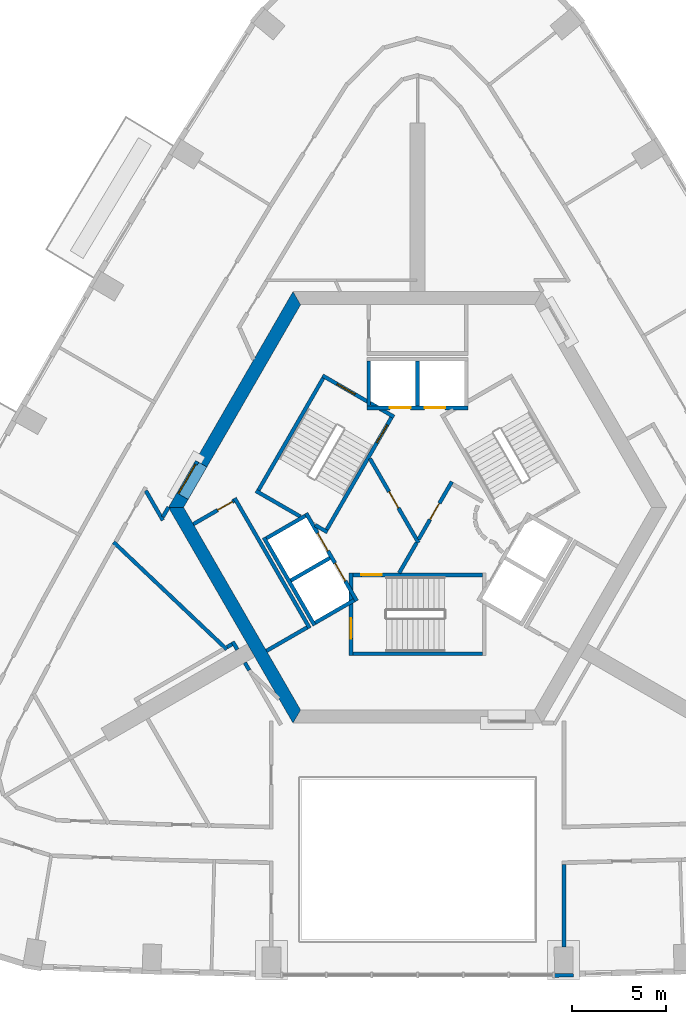
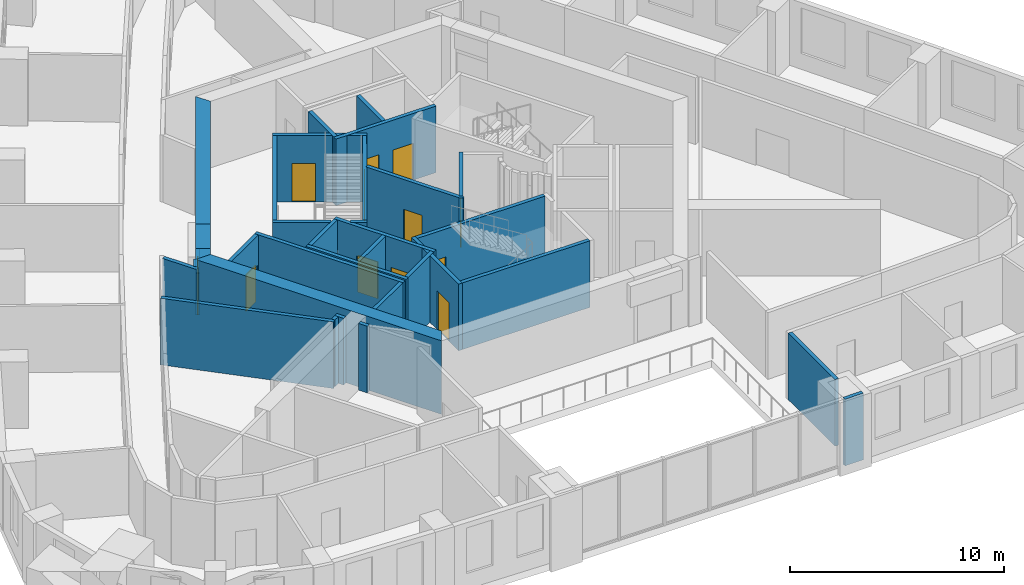
# One storey, part 5 of 13: 35 walls, 12 doors, 12 openings.
"""IFC4 building model written with IfcOpenShell, lengths in metres."""

from ifc_helpers import new_model, si_unit, direction, frame, frame_2d, origin, place, context, subcontext, project, spatial, polyline, rectangle, outline, extrude, material, layer, layer_set, type_object, element, fill, save


model = new_model("IFC4")

# Units and contexts
model_context = context("Model", 3, precision=1e-05, world=origin(), true_north=direction((0.0, 1.0)))
body_context = subcontext(model_context, "Body", "Model", "MODEL_VIEW")
ifc_project = project(units=[si_unit("LENGTHUNIT", "METRE"), si_unit("AREAUNIT", "SQUARE_METRE"), si_unit("VOLUMEUNIT", "CUBIC_METRE"), si_unit("PLANEANGLEUNIT", "RADIAN"), si_unit("MASSUNIT", "GRAM", prefix="KILO")], contexts=[model_context])

# Site, building, storey
site_placement = place(None, origin())
site = spatial("IfcSite", under=ifc_project, at=site_placement, CompositionType="ELEMENT")
building_placement = place(site_placement, origin())
building = spatial("IfcBuilding", under=site, at=building_placement, Name="Entoto Arch Interchange Tower", CompositionType="ELEMENT")
storey_placement = place(building_placement, frame((0.0, 0.0, 210.800048828125)))
storey = spatial("IfcBuildingStorey", under=building, at=storey_placement, Name="L47", CompositionType="ELEMENT", Elevation=210.800048828125)

# Wall, opening, door
ifc_material_1 = material(Name="Reinforced concrete C40/50", Category="concrete")
ifc_layer_1 = layer(ifc_material_1, 0.199951171875)
ifc_layer_set_1 = layer_set([ifc_layer_1], Name="Reinforced concrete C40/50")
wall_type_1 = type_object("IfcWallType", Name="CORE GAP INFILL WALL", PredefinedType="PARTITIONING", material=ifc_layer_set_1)
wall_1_placement = place(storey_placement, frame((-11.7470703125, 4.951904296875, 0.0), z_axis=(0.0, 0.0, 1.0), x_axis=(-0.50002537861, -0.866010750942, 0.0)))
wall_1 = element("IfcWall", 1, at=wall_1_placement, inside=storey, type_object=wall_type_1, Name="wall:L47:gap3", PredefinedType="PARTITIONING", context=body_context, shape_type="SweptSolid", body=[
    extrude(rectangle(XDim=2.0, YDim=0.199951171875, at=frame_2d((1.0, 0.0))), origin(), (0.0, 0.0, 1.0), 2.39990234375),
])
opening_1_placement = place(wall_1_placement, frame((0.18994140625, 0.0, 0.0)))
opening_1 = element("IfcOpeningElement", 2, at=opening_1_placement, cuts=wall_1, Name="Opening L47-D93", PredefinedType="OPENING", context=body_context, shape_type="SweptSolid", body=[
    extrude(rectangle(XDim=1.800048828125, YDim=2.10009765625, at=frame_2d((0.89990234375, 1.050048828125))), frame((0.0, 0.10986328125, 0.0), z_axis=(0.0, -1.0, 0.0), x_axis=(1.0, 0.0, 0.0)), (0.0, 0.0, 1.0), 0.219970703125),
])
ifc_material_2 = material(Name="Fire-rated Steel S235 door and frame", Category="steel")
door_type_1 = type_object("IfcDoorType", Name="DOOR FD-18 1800x2100", OperationType="DOUBLE_DOOR_SINGLE_SWING", PredefinedType="DOOR", material=ifc_material_2)
door_1_placement = place(opening_1_placement, origin())
door_1 = element("IfcDoor", 3, at=door_1_placement, inside=storey, type_object=door_type_1, Name="door:L47:gap3", OperationType="DOUBLE_DOOR_SINGLE_SWING", OverallHeight=2.10009765625, OverallWidth=1.800048828125, PredefinedType="DOOR", context=body_context, shape_type="SweptSolid", body=[
    extrude(rectangle(XDim=1.800048828125, YDim=2.10009765625, at=frame_2d((0.89990234375, 1.050048828125))), frame((0.0, 0.02490234375, 0.0), z_axis=(0.0, -1.0, 0.0), x_axis=(1.0, 0.0, 0.0)), (0.0, 0.0, 1.0), 0.050048828125),
])
fill(opening_1, door_1)

# Walls
ifc_material_3 = material(Name="Concrete C50/60", Category="concrete")
ifc_layer_2 = layer(ifc_material_3, 0.699951171875)
ifc_layer_set_2 = layer_set([ifc_layer_2], Name="Concrete C50/60")
wall_type_2 = type_object("IfcWallType", Name="Core wall 700 C50/60", PredefinedType="SHEAR", material=ifc_layer_set_2)
wall_2_placement = place(storey_placement, frame((0.0, 0.0, -0.400146484375)))
element("IfcWall", 4, at=wall_2_placement, inside=storey, type_object=wall_type_2, Name="Core wall NW L47", PredefinedType="SHEAR", context=body_context, shape_type="SweptSolid", body=[
    extrude(outline(polyline([(-11.833984375, 5.001953125), (-11.22802734375, 4.652099609375), (-6.235107421875, 13.300048828125), (-6.639892578125, 14.0), (-11.833984375, 5.001953125)])), origin(), (0.0, 0.0, 1.0), 4.2001953125),
])
wall_3_placement = place(storey_placement, frame((0.0, 0.0, -0.400146484375)))
element("IfcWall", 5, at=wall_3_placement, inside=storey, type_object=wall_type_2, Name="Core wall NW L47", PredefinedType="SHEAR", context=body_context, shape_type="SweptSolid", body=[
    extrude(outline(polyline([(-12.22802734375, 2.919921875), (-12.833984375, 3.27001953125), (-13.279052734375, 2.5), (-12.470947265625, 2.5), (-12.22802734375, 2.919921875)])), origin(), (0.0, 0.0, 1.0), 4.2001953125),
])
wall_4_placement = place(storey_placement, frame((0.0, 0.0, 3.599853515625)))
element("IfcWall", 6, at=wall_4_placement, inside=storey, type_object=wall_type_2, Name="Core wall lintel NW L47", PredefinedType="SHEAR", context=body_context, shape_type="SweptSolid", body=[
    extrude(outline(polyline([(-12.833984375, 3.27001953125), (-12.22802734375, 2.919921875), (-11.22802734375, 4.652099609375), (-11.833984375, 5.001953125), (-12.833984375, 3.27001953125)])), origin(), (0.0, 0.0, 1.0), 0.2001953125),
])
wall_5_placement = place(storey_placement, frame((0.0, 0.0, -0.400146484375)))
element("IfcWall", 7, at=wall_5_placement, inside=storey, type_object=wall_type_2, Name="Core wall SW L47", PredefinedType="SHEAR", context=body_context, shape_type="SweptSolid", body=[
    extrude(outline(polyline([(-13.279052734375, 2.5), (-6.639892578125, -9.0), (-6.235107421875, -8.300048828125), (-12.470947265625, 2.5), (-13.279052734375, 2.5)])), origin(), (0.0, 0.0, 1.0), 4.2001953125),
])

# Wall, openings, doors
ifc_material_4 = material(Name="Concrete C40/50", Category="concrete")
ifc_layer_3 = layer(ifc_material_4, 0.199951171875)
ifc_layer_set_3 = layer_set([ifc_layer_3], Name="Concrete C40/50")
wall_type_3 = type_object("IfcWallType", Name="LIFT SHAFT WALL 200", PredefinedType="STANDARD", material=ifc_layer_set_3)
wall_6_placement = place(storey_placement, frame((2.699951171875, 7.800048828125, 0.0), z_axis=(0.0, 0.0, 1.0), x_axis=(-1.0, 0.0, 0.0)))
wall_6 = element("IfcWall", 8, at=wall_6_placement, inside=storey, type_object=wall_type_3, Name="Shaft wall N1 front", PredefinedType="STANDARD", context=body_context, shape_type="SweptSolid", body=[
    extrude(rectangle(XDim=5.39990234375, YDim=0.199951171875, at=frame_2d((2.699951171875, 0.0))), origin(), (0.0, 0.0, 1.0), 3.800048828125),
])
opening_2_placement = place(wall_6_placement, frame((1.22509765625, 0.0, 0.0)))
opening_2 = element("IfcOpeningElement", 9, at=opening_2_placement, cuts=wall_6, Name="Opening LD-HR1-L47", PredefinedType="OPENING", context=body_context, shape_type="SweptSolid", body=[
    extrude(rectangle(XDim=1.10009765625, YDim=2.10009765625, at=frame_2d((0.550048828125, 1.050048828125))), frame((0.0, 0.10986328125, 0.0), z_axis=(0.0, -1.0, 0.0), x_axis=(1.0, 0.0, 0.0)), (0.0, 0.0, 1.0), 0.219970703125),
])
opening_3_placement = place(wall_6_placement, frame((3.074951171875, 0.0, 0.0)))
opening_3 = element("IfcOpeningElement", 10, at=opening_3_placement, cuts=wall_6, Name="Opening LD-HR2-L47", PredefinedType="OPENING", context=body_context, shape_type="SweptSolid", body=[
    extrude(rectangle(XDim=1.10009765625, YDim=2.10009765625, at=frame_2d((0.550048828125, 1.050048828125))), frame((0.0, 0.10986328125, 0.0), z_axis=(0.0, -1.0, 0.0), x_axis=(1.0, 0.0, 0.0)), (0.0, 0.0, 1.0), 0.219970703125),
])
ifc_material_5 = material(Name="Stainless steel 1.4301 panels", Category="steel")
door_type_2 = type_object("IfcDoorType", Name="LIFT LANDING DOOR LD1 1100x2100", OperationType="SLIDING_TO_LEFT", PredefinedType="DOOR", material=ifc_material_5)
door_2_placement = place(opening_2_placement, origin())
door_2 = element("IfcDoor", 11, at=door_2_placement, inside=storey, type_object=door_type_2, Name="Lift landing door HR1 L47", OperationType="SLIDING_TO_LEFT", OverallHeight=2.10009765625, OverallWidth=1.10009765625, PredefinedType="DOOR", context=body_context, shape_type="SweptSolid", body=[
    extrude(rectangle(XDim=1.10009765625, YDim=2.10009765625, at=frame_2d((0.550048828125, 1.050048828125))), frame((0.0, 0.02490234375, 0.0), z_axis=(0.0, -1.0, 0.0), x_axis=(1.0, 0.0, 0.0)), (0.0, 0.0, 1.0), 0.050048828125),
])
fill(opening_2, door_2)
door_3_placement = place(opening_3_placement, origin())
door_3 = element("IfcDoor", 12, at=door_3_placement, inside=storey, type_object=door_type_2, Name="Lift landing door HR2 L47", OperationType="SLIDING_TO_LEFT", OverallHeight=2.10009765625, OverallWidth=1.10009765625, PredefinedType="DOOR", context=body_context, shape_type="SweptSolid", body=[
    extrude(rectangle(XDim=1.10009765625, YDim=2.10009765625, at=frame_2d((0.550048828125, 1.050048828125))), frame((0.0, 0.02490234375, 0.0), z_axis=(0.0, -1.0, 0.0), x_axis=(1.0, 0.0, 0.0)), (0.0, 0.0, 1.0), 0.050048828125),
])
fill(opening_3, door_3)

# Walls
for number, where, z_axis, x_axis, name in (
    (13, (0.0, 7.89990234375, 0.0), (0.0, 0.0, 1.0), (0.0, 1.0, 0.0), "Shaft wall N1 cross 2"),
    (14, (-2.60009765625, 7.89990234375, 0.0), (0.0, 0.0, 1.0), (0.0, 1.0, 0.0), "Shaft wall N1 cross 3"),
):
    element("IfcWall", number, at=place(storey_placement, frame(where, z_axis=z_axis, x_axis=x_axis)), inside=storey, type_object=wall_type_3, Name=name, PredefinedType="STANDARD", context=body_context, shape_type="SweptSolid", body=[
        extrude(rectangle(XDim=2.400146484375, YDim=0.199951171875, at=frame_2d((1.2001953125, 0.0))), origin(), (0.0, 0.0, 1.0), 3.800048828125),
    ])

# Wall, openings, doors
wall_7_placement = place(storey_placement, frame((-5.93994140625, 2.18798828125, 0.0), z_axis=(0.0, 0.0, 1.0), x_axis=(0.500034260056, -0.866005622828, 0.0)))
wall_7 = element("IfcWall", 15, at=wall_7_placement, inside=storey, type_object=wall_type_3, Name="Shaft wall SW1 front", PredefinedType="STANDARD", context=body_context, shape_type="SweptSolid", body=[
    extrude(rectangle(XDim=5.3994140625, YDim=0.199951171875, at=frame_2d((2.69970703125, 0.0))), origin(), (0.0, 0.0, 1.0), 3.800048828125),
])
opening_4_placement = place(wall_7_placement, frame((3.074951171875, 0.0, 0.0)))
opening_4 = element("IfcOpeningElement", 16, at=opening_4_placement, cuts=wall_7, Name="Opening LD-HR4-L47", PredefinedType="OPENING", context=body_context, shape_type="SweptSolid", body=[
    extrude(rectangle(XDim=1.10009765625, YDim=2.10009765625, at=frame_2d((0.550048828125, 1.050048828125))), frame((0.0, 0.10986328125, 0.0), z_axis=(0.0, -1.0, 0.0), x_axis=(1.0, 0.0, 0.0)), (0.0, 0.0, 1.0), 0.219970703125),
])
opening_5_placement = place(wall_7_placement, frame((1.22509765625, 0.0, 0.0)))
opening_5 = element("IfcOpeningElement", 17, at=opening_5_placement, cuts=wall_7, Name="Opening LD-FF2-L47", PredefinedType="OPENING", context=body_context, shape_type="SweptSolid", body=[
    extrude(rectangle(XDim=1.10009765625, YDim=2.10009765625, at=frame_2d((0.550048828125, 1.050048828125))), frame((0.0, 0.10986328125, 0.0), z_axis=(0.0, -1.0, 0.0), x_axis=(1.0, 0.0, 0.0)), (0.0, 0.0, 1.0), 0.219970703125),
])
door_4_placement = place(opening_4_placement, origin())
door_4 = element("IfcDoor", 18, at=door_4_placement, inside=storey, type_object=door_type_2, Name="Lift landing door HR4 L47", OperationType="SLIDING_TO_LEFT", OverallHeight=2.10009765625, OverallWidth=1.10009765625, PredefinedType="DOOR", context=body_context, shape_type="SweptSolid", body=[
    extrude(rectangle(XDim=1.10009765625, YDim=2.10009765625, at=frame_2d((0.550048828125, 1.050048828125))), frame((0.0, 0.02490234375, 0.0), z_axis=(0.0, -1.0, 0.0), x_axis=(1.0, 0.0, 0.0)), (0.0, 0.0, 1.0), 0.050048828125),
])
fill(opening_4, door_4)
door_5_placement = place(opening_5_placement, origin())
door_5 = element("IfcDoor", 19, at=door_5_placement, inside=storey, type_object=door_type_2, Name="Lift landing door FF2 L47", OperationType="SLIDING_TO_LEFT", OverallHeight=2.10009765625, OverallWidth=1.10009765625, PredefinedType="DOOR", context=body_context, shape_type="SweptSolid", body=[
    extrude(rectangle(XDim=1.10009765625, YDim=2.10009765625, at=frame_2d((0.550048828125, 1.050048828125))), frame((0.0, 0.02490234375, 0.0), z_axis=(0.0, -1.0, 0.0), x_axis=(1.0, 0.0, 0.0)), (0.0, 0.0, 1.0), 0.050048828125),
])
fill(opening_5, door_5)

# Walls
wall_8_placement = place(storey_placement, frame((-8.19189453125, 0.887939453125, 0.0), z_axis=(0.0, 0.0, 1.0), x_axis=(0.500034260056, -0.866005622828, 0.0)))
element("IfcWall", 20, at=wall_8_placement, inside=storey, type_object=wall_type_3, Name="Shaft wall SW1 back", PredefinedType="STANDARD", context=body_context, shape_type="SweptSolid", body=[
    extrude(rectangle(XDim=5.3994140625, YDim=0.199951171875, at=frame_2d((2.69970703125, 0.0))), origin(), (0.0, 0.0, 1.0), 3.800048828125),
])
for number, where, z_axis, x_axis, name in (
    (21, (-5.97705078125, 2.052001953125, 0.0), (0.0, 0.0, 1.0), (-0.865973769406, -0.500089422704, 0.0), "Shaft wall SW1 cross 1"),
    (22, (-4.677001953125, -0.199951171875, 0.0), (0.0, 0.0, 1.0), (-0.865973769406, -0.500089422704, 0.0), "Shaft wall SW1 cross 2"),
):
    element("IfcWall", number, at=place(storey_placement, frame(where, z_axis=z_axis, x_axis=x_axis)), inside=storey, type_object=wall_type_3, Name=name, PredefinedType="STANDARD", context=body_context, shape_type="SweptSolid", body=[
        extrude(rectangle(XDim=2.3994140625, YDim=0.199951171875, at=frame_2d((1.19970703125, 0.0))), origin(), (0.0, 0.0, 1.0), 3.800048828125),
    ])
wall_9_placement = place(storey_placement, frame((-3.376953125, -2.451904296875, 0.0), z_axis=(0.0, 0.0, 1.0), x_axis=(-0.865955154139, -0.50012165622, 0.0)))
element("IfcWall", 23, at=wall_9_placement, inside=storey, type_object=wall_type_3, Name="Shaft wall SW1 cross 3", PredefinedType="STANDARD", context=body_context, shape_type="SweptSolid", body=[
    extrude(rectangle(XDim=2.39990234375, YDim=0.199951171875, at=frame_2d((1.199951171875, 0.0))), origin(), (0.0, 0.0, 1.0), 3.800048828125),
])
ifc_material_6 = material(Name="Gypsum board partition on steel studs", Category="steel")
ifc_layer_4 = layer(ifc_material_6, 0.199951171875)
ifc_layer_set_4 = layer_set([ifc_layer_4], Name="Gypsum board partition on steel studs")
wall_type_4 = type_object("IfcWallType", Name="PARTITION 200", PredefinedType="PARTITIONING", material=ifc_layer_set_4)
wall_10_placement = place(storey_placement, frame((-13.27294921875, 2.513916015625, 0.0), z_axis=(0.0, 0.0, 1.0), x_axis=(-0.50111559984, -0.865380353138, 0.0)))
element("IfcWall", 24, at=wall_10_placement, inside=storey, type_object=wall_type_4, Name="wall:L47:p023", PredefinedType="PARTITIONING", context=body_context, shape_type="SweptSolid", body=[
    extrude(rectangle(XDim=0.6064453125, YDim=0.199951171875, at=frame_2d((0.30322265625, 0.0))), origin(), (0.0, 0.0, 1.0), 3.800048828125),
])
wall_11_placement = place(storey_placement, frame((-13.576904296875, 1.81494140625, 0.0), z_axis=(0.0, 0.0, 1.0), x_axis=(-0.499951005625, 0.866053688852, 0.0)))
element("IfcWall", 25, at=wall_11_placement, inside=storey, type_object=wall_type_4, Name="wall:L47:p024", PredefinedType="PARTITIONING", context=body_context, shape_type="SweptSolid", body=[
    extrude(rectangle(XDim=1.818603515625, YDim=0.199951171875, at=frame_2d((0.9091796875, 0.0))), origin(), (0.0, 0.0, 1.0), 3.800048828125),
])
wall_12_placement = place(storey_placement, frame((-5.887939453125, -3.902099609375, 0.0), z_axis=(0.0, 0.0, 1.0), x_axis=(-0.866022959057, -0.500004234368, 0.0)))
element("IfcWall", 26, at=wall_12_placement, inside=storey, type_object=wall_type_4, Name="wall:L47:p072", PredefinedType="PARTITIONING", context=body_context, shape_type="SweptSolid", body=[
    extrude(rectangle(XDim=2.5, YDim=0.199951171875, at=frame_2d((1.25, 0.0))), origin(), (0.0, 0.0, 1.0), 3.800048828125),
])

# Wall, opening, door
wall_13_placement = place(storey_placement, frame((-11.952880859375, 1.60302734375, 0.0), z_axis=(0.0, 0.0, 1.0), x_axis=(0.865998541277, 0.500046524342, 0.0)))
wall_13 = element("IfcWall", 27, at=wall_13_placement, inside=storey, type_object=wall_type_4, Name="wall:L47:p073", PredefinedType="PARTITIONING", context=body_context, shape_type="SweptSolid", body=[
    extrude(rectangle(XDim=2.499755859375, YDim=0.199951171875, at=frame_2d((1.25, 0.0))), origin(), (0.0, 0.0, 1.0), 3.800048828125),
])
opening_6_placement = place(wall_13_placement, frame((1.5, 0.0, 0.0)))
opening_6 = element("IfcOpeningElement", 28, at=opening_6_placement, cuts=wall_13, Name="Opening L47-D31", PredefinedType="OPENING", context=body_context, shape_type="SweptSolid", body=[
    extrude(rectangle(XDim=0.89990234375, YDim=2.10009765625, at=frame_2d((0.449951171875, 1.050048828125))), frame((0.0, 0.10986328125, 0.0), z_axis=(0.0, -1.0, 0.0), x_axis=(1.0, 0.0, 0.0)), (0.0, 0.0, 1.0), 0.219970703125),
])
ifc_material_7 = material(Name="Timber door leaf in Steel S235 frame", Category="steel")
door_type_3 = type_object("IfcDoorType", Name="DOOR DS-09 900x2100", OperationType="SINGLE_SWING_LEFT", PredefinedType="DOOR", material=ifc_material_7)
door_6_placement = place(opening_6_placement, origin())
door_6 = element("IfcDoor", 29, at=door_6_placement, inside=storey, type_object=door_type_3, Name="door:L47:31", OperationType="SINGLE_SWING_LEFT", OverallHeight=2.10009765625, OverallWidth=0.89990234375, PredefinedType="DOOR", context=body_context, shape_type="SweptSolid", body=[
    extrude(rectangle(XDim=0.89990234375, YDim=2.10009765625, at=frame_2d((0.449951171875, 1.050048828125))), frame((0.0, 0.02490234375, 0.0), z_axis=(0.0, -1.0, 0.0), x_axis=(1.0, 0.0, 0.0)), (0.0, 0.0, 1.0), 0.050048828125),
])
fill(opening_6, door_6)

# Walls
wall_14_placement = place(storey_placement, frame((-9.7509765625, 2.989990234375, 0.0), z_axis=(0.0, 0.0, 1.0), x_axis=(0.500012163284, -0.866018381195, 0.0)))
element("IfcWall", 30, at=wall_14_placement, inside=storey, type_object=wall_type_4, Name="wall:L47:p074", PredefinedType="PARTITIONING", context=body_context, shape_type="SweptSolid", body=[
    extrude(rectangle(XDim=7.999755859375, YDim=0.199951171875, at=frame_2d((4.0, 0.0))), origin(), (0.0, 0.0, 1.0), 3.800048828125),
])
wall_15_placement = place(storey_placement, frame((-0.98193359375, -1.0, 0.0), z_axis=(0.0, 0.0, 1.0), x_axis=(0.50024047865, 0.865886518847, 0.0)))
element("IfcWall", 31, at=wall_15_placement, inside=storey, type_object=wall_type_4, Name="wall:L47:p079", PredefinedType="PARTITIONING", context=body_context, shape_type="SweptSolid", body=[
    extrude(rectangle(XDim=1.86279296875, YDim=0.199951171875, at=frame_2d((0.931396484375, 0.0))), origin(), (0.0, 0.0, 1.0), 3.800048828125),
])

# Wall, opening, door
wall_16_placement = place(storey_placement, frame((0.050048828125, 0.787109375, 0.0), z_axis=(0.0, 0.0, 1.0), x_axis=(0.499954076797, 0.866051915934, 0.0)))
wall_16 = element("IfcWall", 32, at=wall_16_placement, inside=storey, type_object=wall_type_4, Name="wall:L47:p080", PredefinedType="PARTITIONING", context=body_context, shape_type="SweptSolid", body=[
    extrude(rectangle(XDim=3.558349609375, YDim=0.199951171875, at=frame_2d((1.779296875, 0.0))), origin(), (0.0, 0.0, 1.0), 3.800048828125),
])
opening_7_placement = place(wall_16_placement, frame((1.22900390625, 0.0, 0.0)))
opening_7 = element("IfcOpeningElement", 33, at=opening_7_placement, cuts=wall_16, Name="Opening L47-D27", PredefinedType="OPENING", context=body_context, shape_type="SweptSolid", body=[
    extrude(rectangle(XDim=1.0, YDim=2.10009765625, at=frame_2d((0.5, 1.050048828125))), frame((0.0, 0.10986328125, 0.0), z_axis=(0.0, -1.0, 0.0), x_axis=(1.0, 0.0, 0.0)), (0.0, 0.0, 1.0), 0.219970703125),
])
door_type_4 = type_object("IfcDoorType", Name="DOOR FD-10 1000x2100", OperationType="SINGLE_SWING_LEFT", PredefinedType="DOOR", material=ifc_material_2)
door_7_placement = place(opening_7_placement, origin())
door_7 = element("IfcDoor", 34, at=door_7_placement, inside=storey, type_object=door_type_4, Name="door:L47:27", OperationType="SINGLE_SWING_RIGHT", OverallHeight=2.10009765625, OverallWidth=1.0, PredefinedType="DOOR", context=body_context, shape_type="SweptSolid", body=[
    extrude(rectangle(XDim=1.0, YDim=2.10009765625, at=frame_2d((0.5, 1.050048828125))), frame((0.0, 0.02490234375, 0.0), z_axis=(0.0, -1.0, 0.0), x_axis=(1.0, 0.0, 0.0)), (0.0, 0.0, 1.0), 0.050048828125),
])
fill(opening_7, door_7)

wall_17_placement = place(storey_placement, frame((-2.5400390625, 5.10009765625, 0.0), z_axis=(0.0, 0.0, 1.0), x_axis=(0.499925051871, -0.866068670783, 0.0)))
wall_17 = element("IfcWall", 35, at=wall_17_placement, inside=storey, type_object=wall_type_4, Name="wall:L47:p090", PredefinedType="PARTITIONING", context=body_context, shape_type="SweptSolid", body=[
    extrude(rectangle(XDim=5.180908203125, YDim=0.199951171875, at=frame_2d((2.59033203125, 0.0))), origin(), (0.0, 0.0, 1.0), 3.800048828125),
])
opening_8_placement = place(wall_17_placement, frame((2.0400390625, 0.0, 0.0)))
opening_8 = element("IfcOpeningElement", 36, at=opening_8_placement, cuts=wall_17, Name="Opening L47-D28", PredefinedType="OPENING", context=body_context, shape_type="SweptSolid", body=[
    extrude(rectangle(XDim=1.0, YDim=2.10009765625, at=frame_2d((0.5, 1.050048828125))), frame((0.0, 0.10986328125, 0.0), z_axis=(0.0, -1.0, 0.0), x_axis=(1.0, 0.0, 0.0)), (0.0, 0.0, 1.0), 0.219970703125),
])
door_8_placement = place(opening_8_placement, origin())
door_8 = element("IfcDoor", 37, at=door_8_placement, inside=storey, type_object=door_type_4, Name="door:L47:28", OperationType="SINGLE_SWING_RIGHT", OverallHeight=2.10009765625, OverallWidth=1.0, PredefinedType="DOOR", context=body_context, shape_type="SweptSolid", body=[
    extrude(rectangle(XDim=1.0, YDim=2.10009765625, at=frame_2d((0.5, 1.050048828125))), frame((0.0, 0.02490234375, 0.0), z_axis=(0.0, -1.0, 0.0), x_axis=(1.0, 0.0, 0.0)), (0.0, 0.0, 1.0), 0.050048828125),
])
fill(opening_8, door_8)

# Walls
wall_18_placement = place(storey_placement, frame((7.800048828125, -16.5419921875, 0.0), z_axis=(0.0, 0.0, 1.0), x_axis=(0.0, -1.0, 0.0)))
element("IfcWall", 38, at=wall_18_placement, inside=storey, type_object=wall_type_4, Name="wall:L47:p095", PredefinedType="PARTITIONING", context=body_context, shape_type="SweptSolid", body=[
    extrude(rectangle(XDim=4.382080078125, YDim=0.199951171875, at=frame_2d((2.19091796875, 0.0))), origin(), (0.0, 0.0, 1.0), 3.800048828125),
])
wall_19_placement = place(storey_placement, frame((-8.972900390625, -6.18310546875, 0.0), z_axis=(0.0, 0.0, 1.0), x_axis=(-0.499557093027, 0.86628096528, 0.0)))
element("IfcWall", 39, at=wall_19_placement, inside=storey, type_object=wall_type_4, Name="wall:L47:p099", PredefinedType="PARTITIONING", context=body_context, shape_type="SweptSolid", body=[
    extrude(rectangle(XDim=0.46875, YDim=0.199951171875, at=frame_2d((0.234375, 0.0))), origin(), (0.0, 0.0, 1.0), 3.800048828125),
])
wall_20_placement = place(storey_placement, frame((-9.889892578125, -4.794921875, 0.0), z_axis=(0.0, 0.0, 1.0), x_axis=(-0.866447259568, -0.499268611457, 0.0)))
element("IfcWall", 40, at=wall_20_placement, inside=storey, type_object=wall_type_4, Name="wall:L47:p100", PredefinedType="PARTITIONING", context=body_context, shape_type="SweptSolid", body=[
    extrude(rectangle(XDim=0.310546875, YDim=0.199951171875, at=frame_2d((0.1552734375, 0.0))), origin(), (0.0, 0.0, 1.0), 3.800048828125),
])
wall_21_placement = place(storey_placement, frame((-10.173095703125, -5.069091796875, 0.0), z_axis=(0.0, 0.0, 1.0), x_axis=(-0.725908697087, 0.687791075468, 0.0)))
element("IfcWall", 41, at=wall_21_placement, inside=storey, type_object=wall_type_4, Name="wall:L47:p101", PredefinedType="PARTITIONING", context=body_context, shape_type="SweptSolid", body=[
    extrude(rectangle(XDim=8.3134765625, YDim=0.199951171875, at=frame_2d((4.15673828125, 0.0))), origin(), (0.0, 0.0, 1.0), 3.800048828125),
])
wall_22_placement = place(storey_placement, frame((-9.60693359375, -5.083984375, 0.0), z_axis=(0.0, 0.0, 1.0), x_axis=(-0.500194922027, 0.865912836248, 0.0)))
element("IfcWall", 42, at=wall_22_placement, inside=storey, type_object=wall_type_4, Name="wall:L47:p099", PredefinedType="PARTITIONING", context=body_context, shape_type="SweptSolid", body=[
    extrude(rectangle(XDim=0.491943359375, YDim=0.199951171875, at=frame_2d((0.24609375, 0.0))), origin(), (0.0, 0.0, 1.0), 3.800048828125),
])

# Wall, opening, door
ifc_layer_5 = layer(ifc_material_4, 0.199951171875)
ifc_layer_set_5 = layer_set([ifc_layer_5], Name="Concrete C40/50")
wall_type_5 = type_object("IfcWallType", Name="STAIR ENCLOSURE WALL 200", PredefinedType="STANDARD", material=ifc_layer_set_5)
wall_23_placement = place(storey_placement, frame((-3.550048828125, -1.0, 0.0), z_axis=(0.0, 0.0, 1.0), x_axis=(0.0, -1.0, 0.0)))
wall_23 = element("IfcWall", 43, at=wall_23_placement, inside=storey, type_object=wall_type_5, Name="Stair wall ST-S near", PredefinedType="STANDARD", context=body_context, shape_type="SweptSolid", body=[
    extrude(rectangle(XDim=4.39990234375, YDim=0.199951171875, at=frame_2d((2.199951171875, 0.0))), origin(), (0.0, 0.0, 1.0), 3.800048828125),
])
opening_9_placement = place(wall_23_placement, frame((2.39990234375, 0.0, 0.0)))
opening_9 = element("IfcOpeningElement", 44, at=opening_9_placement, cuts=wall_23, Name="Opening SD-ST-S-L47-E", PredefinedType="OPENING", context=body_context, shape_type="SweptSolid", body=[
    extrude(rectangle(XDim=1.10009765625, YDim=2.199951171875, at=frame_2d((0.550048828125, 1.10009765625))), frame((0.0, 0.10986328125, 0.0), z_axis=(0.0, -1.0, 0.0), x_axis=(1.0, 0.0, 0.0)), (0.0, 0.0, 1.0), 0.219970703125),
])
ifc_material_8 = material(Name="Steel S235", Category="steel")
door_type_5 = type_object("IfcDoorType", Name="STAIR DOOR SD1 1100x2200", OperationType="SINGLE_SWING_LEFT", PredefinedType="DOOR", material=ifc_material_8)
door_9_placement = place(opening_9_placement, origin())
door_9 = element("IfcDoor", 45, at=door_9_placement, inside=storey, type_object=door_type_5, Name="Stair door ST-S L47 end", OperationType="SINGLE_SWING_LEFT", OverallHeight=2.199951171875, OverallWidth=1.10009765625, PredefinedType="DOOR", context=body_context, shape_type="SweptSolid", body=[
    extrude(rectangle(XDim=1.10009765625, YDim=2.199951171875, at=frame_2d((0.550048828125, 1.10009765625))), frame((0.0, 0.02490234375, 0.0), z_axis=(0.0, -1.0, 0.0), x_axis=(1.0, 0.0, 0.0)), (0.0, 0.0, 1.0), 0.050048828125),
])
fill(opening_9, door_9)

wall_24_placement = place(storey_placement, frame((-3.449951171875, -1.10009765625, 0.0), z_axis=(0.0, 0.0, 1.0), x_axis=(1.0, 0.0, 0.0)))
wall_24 = element("IfcWall", 46, at=wall_24_placement, inside=storey, type_object=wall_type_5, Name="Stair wall ST-S hall", PredefinedType="STANDARD", context=body_context, shape_type="SweptSolid", body=[
    extrude(rectangle(XDim=6.89990234375, YDim=0.199951171875, at=frame_2d((3.449951171875, 0.0))), origin(), (0.0, 0.0, 1.0), 3.800048828125),
])
opening_10_placement = place(wall_24_placement, frame((0.449951171875, 0.0, 0.0)))
opening_10 = element("IfcOpeningElement", 47, at=opening_10_placement, cuts=wall_24, Name="Opening SD-ST-S-L47", PredefinedType="OPENING", context=body_context, shape_type="SweptSolid", body=[
    extrude(rectangle(XDim=1.10009765625, YDim=2.199951171875, at=frame_2d((0.550048828125, 1.10009765625))), frame((0.0, 0.10986328125, 0.0), z_axis=(0.0, -1.0, 0.0), x_axis=(1.0, 0.0, 0.0)), (0.0, 0.0, 1.0), 0.219970703125),
])
door_10_placement = place(opening_10_placement, origin())
door_10 = element("IfcDoor", 48, at=door_10_placement, inside=storey, type_object=door_type_5, Name="Stair door ST-S L47", OperationType="SINGLE_SWING_LEFT", OverallHeight=2.199951171875, OverallWidth=1.10009765625, PredefinedType="DOOR", context=body_context, shape_type="SweptSolid", body=[
    extrude(rectangle(XDim=1.10009765625, YDim=2.199951171875, at=frame_2d((0.550048828125, 1.10009765625))), frame((0.0, 0.02490234375, 0.0), z_axis=(0.0, -1.0, 0.0), x_axis=(1.0, 0.0, 0.0)), (0.0, 0.0, 1.0), 0.050048828125),
])
fill(opening_10, door_10)

# Wall
wall_25_placement = place(storey_placement, frame((-3.449951171875, -5.300048828125, 0.0), z_axis=(0.0, 0.0, 1.0), x_axis=(1.0, 0.0, 0.0)))
element("IfcWall", 49, at=wall_25_placement, inside=storey, type_object=wall_type_5, Name="Stair wall ST-S back", PredefinedType="STANDARD", context=body_context, shape_type="SweptSolid", body=[
    extrude(rectangle(XDim=6.89990234375, YDim=0.199951171875, at=frame_2d((3.449951171875, 0.0))), origin(), (0.0, 0.0, 1.0), 3.800048828125),
])

# Wall, opening, door
wall_26_placement = place(storey_placement, frame((-1.256103515625, 7.323974609375, 0.0), z_axis=(0.0, 0.0, 1.0), x_axis=(-0.866046073146, 0.499964197906, 0.0)))
wall_26 = element("IfcWall", 50, at=wall_26_placement, inside=storey, type_object=wall_type_5, Name="Stair wall ST-NW near", PredefinedType="STANDARD", context=body_context, shape_type="SweptSolid", body=[
    extrude(rectangle(XDim=4.400146484375, YDim=0.199951171875, at=frame_2d((2.2001953125, 0.0))), origin(), (0.0, 0.0, 1.0), 3.800048828125),
])
opening_11_placement = place(wall_26_placement, frame((2.39990234375, 0.0, 0.0)))
opening_11 = element("IfcOpeningElement", 51, at=opening_11_placement, cuts=wall_26, Name="Opening SD-ST-NW-L47-E", PredefinedType="OPENING", context=body_context, shape_type="SweptSolid", body=[
    extrude(rectangle(XDim=1.10009765625, YDim=2.199951171875, at=frame_2d((0.550048828125, 1.10009765625))), frame((0.0, 0.10986328125, 0.0), z_axis=(0.0, -1.0, 0.0), x_axis=(1.0, 0.0, 0.0)), (0.0, 0.0, 1.0), 0.219970703125),
])
door_11_placement = place(opening_11_placement, origin())
door_11 = element("IfcDoor", 52, at=door_11_placement, inside=storey, type_object=door_type_5, Name="Stair door ST-NW L47 end", OperationType="SINGLE_SWING_LEFT", OverallHeight=2.199951171875, OverallWidth=1.10009765625, PredefinedType="DOOR", context=body_context, shape_type="SweptSolid", body=[
    extrude(rectangle(XDim=1.10009765625, YDim=2.199951171875, at=frame_2d((0.550048828125, 1.10009765625))), frame((0.0, 0.02490234375, 0.0), z_axis=(0.0, -1.0, 0.0), x_axis=(1.0, 0.0, 0.0)), (0.0, 0.0, 1.0), 0.050048828125),
])
fill(opening_11, door_11)

# Walls
wall_27_placement = place(storey_placement, frame((-6.25, 2.010009765625, 0.0), z_axis=(0.0, 0.0, 1.0), x_axis=(-0.86611865017, 0.499838457731, 0.0)))
element("IfcWall", 53, at=wall_27_placement, inside=storey, type_object=wall_type_5, Name="Stair wall ST-NW far", PredefinedType="STANDARD", context=body_context, shape_type="SweptSolid", body=[
    extrude(rectangle(XDim=2.73291015625, YDim=0.199951171875, at=frame_2d((1.366455078125, 0.0))), origin(), (0.0, 0.0, 1.0), 3.800048828125),
])
wall_28_placement = place(storey_placement, frame((-4.805908203125, 1.176025390625, 0.0), z_axis=(0.0, 0.0, 1.0), x_axis=(-0.866558586415, 0.499075361355, 0.0)))
element("IfcWall", 54, at=wall_28_placement, inside=storey, type_object=wall_type_5, Name="Stair wall ST-NW far return", PredefinedType="STANDARD", context=body_context, shape_type="SweptSolid", body=[
    extrude(rectangle(XDim=0.75146484375, YDim=0.199951171875, at=frame_2d((0.375732421875, 0.0))), origin(), (0.0, 0.0, 1.0), 3.800048828125),
])

# Wall, opening, door
wall_29_placement = place(storey_placement, frame((-1.39306640625, 7.2880859375, 0.0), z_axis=(0.0, 0.0, 1.0), x_axis=(-0.499963383562, -0.866046543262, 0.0)))
wall_29 = element("IfcWall", 55, at=wall_29_placement, inside=storey, type_object=wall_type_5, Name="Stair wall ST-NW hall", PredefinedType="STANDARD", context=body_context, shape_type="SweptSolid", body=[
    extrude(rectangle(XDim=6.900390625, YDim=0.199951171875, at=frame_2d((3.4501953125, 0.0))), origin(), (0.0, 0.0, 1.0), 3.800048828125),
])
opening_12_placement = place(wall_29_placement, frame((0.449951171875, 0.0, 0.0)))
opening_12 = element("IfcOpeningElement", 56, at=opening_12_placement, cuts=wall_29, Name="Opening SD-ST-NW-L47", PredefinedType="OPENING", context=body_context, shape_type="SweptSolid", body=[
    extrude(rectangle(XDim=1.10009765625, YDim=2.199951171875, at=frame_2d((0.550048828125, 1.10009765625))), frame((0.0, 0.10986328125, 0.0), z_axis=(0.0, -1.0, 0.0), x_axis=(1.0, 0.0, 0.0)), (0.0, 0.0, 1.0), 0.219970703125),
])
door_12_placement = place(opening_12_placement, origin())
door_12 = element("IfcDoor", 57, at=door_12_placement, inside=storey, type_object=door_type_5, Name="Stair door ST-NW L47", OperationType="SINGLE_SWING_LEFT", OverallHeight=2.199951171875, OverallWidth=1.10009765625, PredefinedType="DOOR", context=body_context, shape_type="SweptSolid", body=[
    extrude(rectangle(XDim=1.10009765625, YDim=2.199951171875, at=frame_2d((0.550048828125, 1.10009765625))), frame((0.0, 0.02490234375, 0.0), z_axis=(0.0, -1.0, 0.0), x_axis=(1.0, 0.0, 0.0)), (0.0, 0.0, 1.0), 0.050048828125),
])
fill(opening_12, door_12)

# Walls
wall_30_placement = place(storey_placement, frame((-5.030029296875, 9.387939453125, 0.0), z_axis=(0.0, 0.0, 1.0), x_axis=(-0.499978703459, -0.866037698999, 0.0)))
element("IfcWall", 58, at=wall_30_placement, inside=storey, type_object=wall_type_5, Name="Stair wall ST-NW back", PredefinedType="STANDARD", context=body_context, shape_type="SweptSolid", body=[
    extrude(rectangle(XDim=6.900146484375, YDim=0.199951171875, at=frame_2d((3.4501953125, 0.0))), origin(), (0.0, 0.0, 1.0), 3.800048828125),
])
ifc_material_9 = material(Name="Welded tuff (ignimbrite) cladding, warm buff", Category="masonry")
ifc_layer_6 = layer(ifc_material_9, 0.199951171875)
ifc_layer_set_6 = layer_set([ifc_layer_6], Name="Welded tuff (ignimbrite) cladding, warm buff")
wall_type_6 = type_object("IfcWallType", Name="STONE PIER CLADDING 200", PredefinedType="STANDARD", material=ifc_layer_set_6)
wall_31_placement = place(storey_placement, frame((7.299072265625, -22.450927734375, 0.0), z_axis=(0.0, 0.0, 1.0), x_axis=(0.999903186316, 0.013914668364, 0.0)))
element("IfcWall", 59, at=wall_31_placement, inside=storey, type_object=wall_type_6, Name="Stone pier S04 L47", PredefinedType="STANDARD", context=body_context, shape_type="SweptSolid", body=[
    extrude(rectangle(XDim=1.0, YDim=0.199951171875, at=frame_2d((0.5, 0.0))), origin(), (0.0, 0.0, 1.0), 3.800048828125),
])

save(model, "model.ifc")
